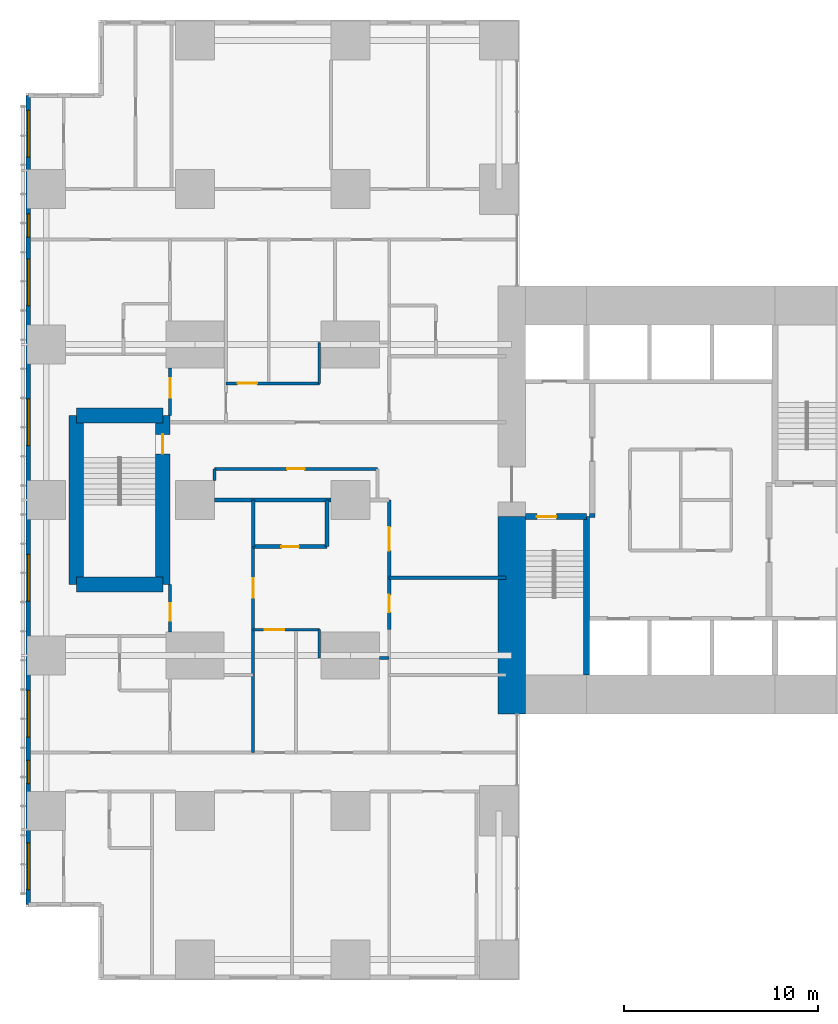
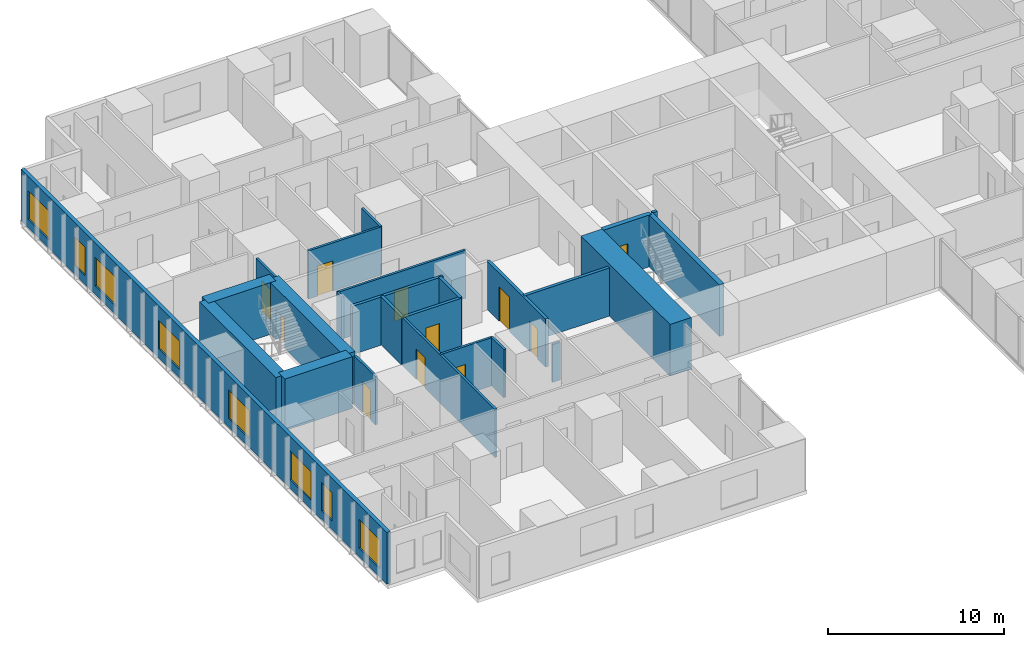
# One storey, part 13 of 20: 25 walls, 11 doors, 8 windows, 19 openings.
"""IFC4 building model written with IfcOpenShell, lengths in metres."""

from ifc_helpers import new_model, si_unit, direction, frame, frame_2d, origin, place, context, subcontext, project, spatial, rectangle, extrude, material, layer, layer_set, type_object, element, fill, save


model = new_model("IFC4")

# Units and contexts
model_context = context("Model", 3, precision=1e-05, world=origin(), true_north=direction((0.0, 1.0)))
body_context = subcontext(model_context, "Body", "Model", "MODEL_VIEW")
ifc_project = project(units=[si_unit("LENGTHUNIT", "METRE"), si_unit("AREAUNIT", "SQUARE_METRE"), si_unit("VOLUMEUNIT", "CUBIC_METRE"), si_unit("PLANEANGLEUNIT", "RADIAN"), si_unit("MASSUNIT", "GRAM", prefix="KILO")], contexts=[model_context])

# Site, building, storey
site_placement = place(None, origin())
site = spatial("IfcSite", under=ifc_project, at=site_placement, CompositionType="ELEMENT")
building_placement = place(site_placement, origin())
building = spatial("IfcBuilding", under=site, at=building_placement, Name="Cleftline Residences", CompositionType="ELEMENT")
storey_placement = place(building_placement, frame((0.0, 0.0, 72.800048828125)))
storey = spatial("IfcBuildingStorey", under=building, at=storey_placement, Name="L18", CompositionType="ELEMENT", Elevation=72.800048828125)

# Walls
ifc_material_1 = material(Name="Concrete B70", Category="concrete")
ifc_layer_1 = layer(ifc_material_1, 1.39990234375)
ifc_layer_set_1 = layer_set([ifc_layer_1], Name="CORE WALL 1400")
wall_type_1 = type_object("IfcWallType", Name="CORE WALL 1400", PredefinedType="SHEAR", material=ifc_layer_set_1)
wall_1_placement = place(storey_placement, frame((24.300048828125, 13.0, 0.0), z_axis=(0.0, 0.0, 1.0), x_axis=(0.0, 1.0, 0.0)))
element("IfcWall", 1, at=wall_1_placement, inside=storey, type_object=wall_type_1, Name="Core wall W0", PredefinedType="SHEAR", context=body_context, shape_type="SweptSolid", body=[
    extrude(rectangle(XDim=10.14990234375, YDim=1.39990234375, at=frame_2d((5.074951171875, 0.0))), origin(), (0.0, 0.0, 1.0), 3.599853515625),
])
ifc_material_2 = material(Name="Concrete B70", Category="concrete")
ifc_layer_2 = layer(ifc_material_2, 0.300048828125)
ifc_layer_set_2 = layer_set([ifc_layer_2], Name="CORE WALL 300")
wall_type_2 = type_object("IfcWallType", Name="CORE WALL 300", PredefinedType="SHEAR", material=ifc_layer_set_2)
wall_2_placement = place(storey_placement, frame((28.14990234375, 15.0, 0.0), z_axis=(0.0, 0.0, 1.0), x_axis=(0.0, 1.0, 0.0)))
element("IfcWall", 2, at=wall_2_placement, inside=storey, type_object=wall_type_2, Name="Core wall SA-E", PredefinedType="SHEAR", context=body_context, shape_type="SweptSolid", body=[
    extrude(rectangle(XDim=8.14990234375, YDim=0.300048828125, at=frame_2d((4.074951171875, 0.0))), origin(), (0.0, 0.0, 1.0), 3.599853515625),
])

# Wall, opening, door
wall_3_placement = place(storey_placement, frame((25.0, 23.14990234375, 0.0), z_axis=(0.0, 0.0, 1.0), x_axis=(1.0, 0.0, 0.0)))
wall_3 = element("IfcWall", 3, at=wall_3_placement, inside=storey, type_object=wall_type_2, Name="Core wall SA-N", PredefinedType="SHEAR", context=body_context, shape_type="SweptSolid", body=[
    extrude(rectangle(XDim=3.14990234375, YDim=0.300048828125, at=frame_2d((1.574951171875, 0.0))), origin(), (0.0, 0.0, 1.0), 3.599853515625),
])
opening_1_placement = place(wall_3_placement, frame((0.60009765625, 0.0, 0.0)))
opening_1 = element("IfcOpeningElement", 4, at=opening_1_placement, cuts=wall_3, Name="Opening D5", PredefinedType="OPENING", context=body_context, shape_type="SweptSolid", body=[
    extrude(rectangle(XDim=1.0, YDim=2.10009765625, at=frame_2d((0.5, 1.050048828125))), frame((0.0, 0.159912109375, 0.0), z_axis=(0.0, -1.0, 0.0), x_axis=(1.0, 0.0, 0.0)), (0.0, 0.0, 1.0), 0.320068359375),
])
ifc_material_3 = material(Name="Steel", Category="steel")
door_type_1 = type_object("IfcDoorType", Name="STAIR DOOR 1000X2100", OperationType="SINGLE_SWING_LEFT", PredefinedType="DOOR", material=ifc_material_3)
door_1_placement = place(opening_1_placement, origin())
door_1 = element("IfcDoor", 5, at=door_1_placement, inside=storey, type_object=door_type_1, Name="Stair A door", OperationType="SINGLE_SWING_RIGHT", OverallHeight=2.10009765625, OverallWidth=1.0, PredefinedType="DOOR", context=body_context, shape_type="SweptSolid", body=[
    extrude(rectangle(XDim=1.0, YDim=2.10009765625, at=frame_2d((0.5, 1.050048828125))), frame((0.0, 0.02490234375, 0.0), z_axis=(0.0, -1.0, 0.0), x_axis=(1.0, 0.0, 0.0)), (0.0, 0.0, 1.0), 0.050048828125),
])
fill(opening_1, door_1)

# Wall, openings, windows
ifc_material_4 = material(Name="Rendered reinforced concrete blockwork", Category="masonry")
ifc_layer_3 = layer(ifc_material_4, 0.25)
ifc_layer_set_3 = layer_set([ifc_layer_3], Name="EXTERNAL WALL 250")
wall_type_3 = type_object("IfcWallType", Name="EXTERNAL WALL 250", PredefinedType="SOLIDWALL", material=ifc_layer_set_3)
wall_4_placement = place(storey_placement, frame((-0.574951171875, 44.824951171875, 0.0), z_axis=(0.0, 0.0, 1.0), x_axis=(0.0, -1.0, 0.0)))
wall_4 = element("IfcWall", 6, at=wall_4_placement, inside=storey, type_object=wall_type_3, Name="External wall", PredefinedType="SOLIDWALL", context=body_context, shape_type="SweptSolid", body=[
    extrude(rectangle(XDim=41.64990234375, YDim=0.25, at=frame_2d((20.824951171875, 0.0))), origin(), (0.0, 0.0, 1.0), 3.599853515625),
])
opening_2_placement = place(wall_4_placement, frame((0.77490234375, 0.0, 0.60009765625)))
opening_2 = element("IfcOpeningElement", 7, at=opening_2_placement, cuts=wall_4, Name="Opening W6", PredefinedType="OPENING", context=body_context, shape_type="SweptSolid", body=[
    extrude(rectangle(XDim=2.39990234375, YDim=2.0, at=frame_2d((1.199951171875, 1.0))), frame((0.0, 0.135009765625, 0.0), z_axis=(0.0, -1.0, 0.0), x_axis=(1.0, 0.0, 0.0)), (0.0, 0.0, 1.0), 0.27001953125),
])
opening_3_placement = place(wall_4_placement, frame((6.10009765625, 0.0, 0.60009765625)))
opening_3 = element("IfcOpeningElement", 8, at=opening_3_placement, cuts=wall_4, Name="Opening W8", PredefinedType="OPENING", context=body_context, shape_type="SweptSolid", body=[
    extrude(rectangle(XDim=1.199951171875, YDim=2.0, at=frame_2d((0.60009765625, 1.0))), frame((0.0, 0.135009765625, 0.0), z_axis=(0.0, -1.0, 0.0), x_axis=(1.0, 0.0, 0.0)), (0.0, 0.0, 1.0), 0.27001953125),
])
opening_4_placement = place(wall_4_placement, frame((8.425048828125, 0.0, 0.60009765625)))
opening_4 = element("IfcOpeningElement", 9, at=opening_4_placement, cuts=wall_4, Name="Opening W6", PredefinedType="OPENING", context=body_context, shape_type="SweptSolid", body=[
    extrude(rectangle(XDim=2.39990234375, YDim=2.0, at=frame_2d((1.199951171875, 1.0))), frame((0.0, 0.135009765625, 0.0), z_axis=(0.0, -1.0, 0.0), x_axis=(1.0, 0.0, 0.0)), (0.0, 0.0, 1.0), 0.27001953125),
])
opening_5_placement = place(wall_4_placement, frame((15.625, 0.0, 0.60009765625)))
opening_5 = element("IfcOpeningElement", 10, at=opening_5_placement, cuts=wall_4, Name="Opening W6", PredefinedType="OPENING", context=body_context, shape_type="SweptSolid", body=[
    extrude(rectangle(XDim=2.39990234375, YDim=2.0, at=frame_2d((1.199951171875, 1.0))), frame((0.0, 0.135009765625, 0.0), z_axis=(0.0, -1.0, 0.0), x_axis=(1.0, 0.0, 0.0)), (0.0, 0.0, 1.0), 0.27001953125),
])
opening_6_placement = place(wall_4_placement, frame((23.625, 0.0, 0.60009765625)))
opening_6 = element("IfcOpeningElement", 11, at=opening_6_placement, cuts=wall_4, Name="Opening W6", PredefinedType="OPENING", context=body_context, shape_type="SweptSolid", body=[
    extrude(rectangle(XDim=2.39990234375, YDim=2.0, at=frame_2d((1.199951171875, 1.0))), frame((0.0, 0.135009765625, 0.0), z_axis=(0.0, -1.0, 0.0), x_axis=(1.0, 0.0, 0.0)), (0.0, 0.0, 1.0), 0.27001953125),
])
opening_7_placement = place(wall_4_placement, frame((30.625, 0.0, 0.60009765625)))
opening_7 = element("IfcOpeningElement", 12, at=opening_7_placement, cuts=wall_4, Name="Opening W6", PredefinedType="OPENING", context=body_context, shape_type="SweptSolid", body=[
    extrude(rectangle(XDim=2.39990234375, YDim=2.0, at=frame_2d((1.199951171875, 1.0))), frame((0.0, 0.135009765625, 0.0), z_axis=(0.0, -1.0, 0.0), x_axis=(1.0, 0.0, 0.0)), (0.0, 0.0, 1.0), 0.27001953125),
])
opening_8_placement = place(wall_4_placement, frame((34.22509765625, 0.0, 0.60009765625)))
opening_8 = element("IfcOpeningElement", 13, at=opening_8_placement, cuts=wall_4, Name="Opening W8", PredefinedType="OPENING", context=body_context, shape_type="SweptSolid", body=[
    extrude(rectangle(XDim=1.199951171875, YDim=2.0, at=frame_2d((0.60009765625, 1.0))), frame((0.0, 0.135009765625, 0.0), z_axis=(0.0, -1.0, 0.0), x_axis=(1.0, 0.0, 0.0)), (0.0, 0.0, 1.0), 0.27001953125),
])
opening_9_placement = place(wall_4_placement, frame((38.47509765625, 0.0, 0.60009765625)))
opening_9 = element("IfcOpeningElement", 14, at=opening_9_placement, cuts=wall_4, Name="Opening W6", PredefinedType="OPENING", context=body_context, shape_type="SweptSolid", body=[
    extrude(rectangle(XDim=2.39990234375, YDim=2.0, at=frame_2d((1.199951171875, 1.0))), frame((0.0, 0.135009765625, 0.0), z_axis=(0.0, -1.0, 0.0), x_axis=(1.0, 0.0, 0.0)), (0.0, 0.0, 1.0), 0.27001953125),
])
ifc_material_5 = material(Name="Aluminium frame, clear double glazing", Category="aluminium")
window_type_1 = type_object("IfcWindowType", Name="WINDOW 1200X2000", PartitioningType="DOUBLE_PANEL_VERTICAL", PredefinedType="WINDOW", material=ifc_material_5)
window_1_placement = place(opening_3_placement, origin())
window_1 = element("IfcWindow", 15, at=window_1_placement, inside=storey, type_object=window_type_1, Name="Window", OverallHeight=2.0, OverallWidth=1.199951171875, PartitioningType="SINGLE_PANEL", PredefinedType="WINDOW", context=body_context, shape_type="SweptSolid", body=[
    extrude(rectangle(XDim=1.199951171875, YDim=2.0, at=frame_2d((0.60009765625, 1.0))), frame((0.0, 0.030029296875, 0.0), z_axis=(0.0, -1.0, 0.0), x_axis=(1.0, 0.0, 0.0)), (0.0, 0.0, 1.0), 0.06005859375),
])
fill(opening_3, window_1)
window_2_placement = place(opening_8_placement, origin())
window_2 = element("IfcWindow", 16, at=window_2_placement, inside=storey, type_object=window_type_1, Name="Window", OverallHeight=2.0, OverallWidth=1.199951171875, PartitioningType="SINGLE_PANEL", PredefinedType="WINDOW", context=body_context, shape_type="SweptSolid", body=[
    extrude(rectangle(XDim=1.199951171875, YDim=2.0, at=frame_2d((0.60009765625, 1.0))), frame((0.0, 0.030029296875, 0.0), z_axis=(0.0, -1.0, 0.0), x_axis=(1.0, 0.0, 0.0)), (0.0, 0.0, 1.0), 0.06005859375),
])
fill(opening_8, window_2)
ifc_material_6 = material(Name="Aluminium frame, clear double glazing", Category="aluminium")
window_type_2 = type_object("IfcWindowType", Name="WINDOW 2400X2000", PartitioningType="DOUBLE_PANEL_VERTICAL", PredefinedType="WINDOW", material=ifc_material_6)
window_3_placement = place(opening_2_placement, origin())
window_3 = element("IfcWindow", 17, at=window_3_placement, inside=storey, type_object=window_type_2, Name="Window", OverallHeight=2.0, OverallWidth=2.39990234375, PartitioningType="SINGLE_PANEL", PredefinedType="WINDOW", context=body_context, shape_type="SweptSolid", body=[
    extrude(rectangle(XDim=2.39990234375, YDim=2.0, at=frame_2d((1.199951171875, 1.0))), frame((0.0, 0.030029296875, 0.0), z_axis=(0.0, -1.0, 0.0), x_axis=(1.0, 0.0, 0.0)), (0.0, 0.0, 1.0), 0.06005859375),
])
fill(opening_2, window_3)
window_4_placement = place(opening_4_placement, origin())
window_4 = element("IfcWindow", 18, at=window_4_placement, inside=storey, type_object=window_type_2, Name="Window", OverallHeight=2.0, OverallWidth=2.39990234375, PartitioningType="SINGLE_PANEL", PredefinedType="WINDOW", context=body_context, shape_type="SweptSolid", body=[
    extrude(rectangle(XDim=2.39990234375, YDim=2.0, at=frame_2d((1.199951171875, 1.0))), frame((0.0, 0.030029296875, 0.0), z_axis=(0.0, -1.0, 0.0), x_axis=(1.0, 0.0, 0.0)), (0.0, 0.0, 1.0), 0.06005859375),
])
fill(opening_4, window_4)
window_5_placement = place(opening_5_placement, origin())
window_5 = element("IfcWindow", 19, at=window_5_placement, inside=storey, type_object=window_type_2, Name="Window", OverallHeight=2.0, OverallWidth=2.39990234375, PartitioningType="SINGLE_PANEL", PredefinedType="WINDOW", context=body_context, shape_type="SweptSolid", body=[
    extrude(rectangle(XDim=2.39990234375, YDim=2.0, at=frame_2d((1.199951171875, 1.0))), frame((0.0, 0.030029296875, 0.0), z_axis=(0.0, -1.0, 0.0), x_axis=(1.0, 0.0, 0.0)), (0.0, 0.0, 1.0), 0.06005859375),
])
fill(opening_5, window_5)
window_6_placement = place(opening_6_placement, origin())
window_6 = element("IfcWindow", 20, at=window_6_placement, inside=storey, type_object=window_type_2, Name="Window", OverallHeight=2.0, OverallWidth=2.39990234375, PartitioningType="SINGLE_PANEL", PredefinedType="WINDOW", context=body_context, shape_type="SweptSolid", body=[
    extrude(rectangle(XDim=2.39990234375, YDim=2.0, at=frame_2d((1.199951171875, 1.0))), frame((0.0, 0.030029296875, 0.0), z_axis=(0.0, -1.0, 0.0), x_axis=(1.0, 0.0, 0.0)), (0.0, 0.0, 1.0), 0.06005859375),
])
fill(opening_6, window_6)
window_7_placement = place(opening_7_placement, origin())
window_7 = element("IfcWindow", 21, at=window_7_placement, inside=storey, type_object=window_type_2, Name="Window", OverallHeight=2.0, OverallWidth=2.39990234375, PartitioningType="SINGLE_PANEL", PredefinedType="WINDOW", context=body_context, shape_type="SweptSolid", body=[
    extrude(rectangle(XDim=2.39990234375, YDim=2.0, at=frame_2d((1.199951171875, 1.0))), frame((0.0, 0.030029296875, 0.0), z_axis=(0.0, -1.0, 0.0), x_axis=(1.0, 0.0, 0.0)), (0.0, 0.0, 1.0), 0.06005859375),
])
fill(opening_7, window_7)
window_8_placement = place(opening_9_placement, origin())
window_8 = element("IfcWindow", 22, at=window_8_placement, inside=storey, type_object=window_type_2, Name="Window", OverallHeight=2.0, OverallWidth=2.39990234375, PartitioningType="SINGLE_PANEL", PredefinedType="WINDOW", context=body_context, shape_type="SweptSolid", body=[
    extrude(rectangle(XDim=2.39990234375, YDim=2.0, at=frame_2d((1.199951171875, 1.0))), frame((0.0, 0.030029296875, 0.0), z_axis=(0.0, -1.0, 0.0), x_axis=(1.0, 0.0, 0.0)), (0.0, 0.0, 1.0), 0.06005859375),
])
fill(opening_9, window_8)

# Wall
ifc_material_7 = material(Name="Concrete blockwork, fire rated", Category="masonry")
ifc_layer_4 = layer(ifc_material_7, 0.199951171875)
ifc_layer_set_4 = layer_set([ifc_layer_4], Name="FIRE WALL 200")
wall_type_4 = type_object("IfcWallType", Name="FIRE WALL 200", PredefinedType="PARTITIONING", material=ifc_layer_set_4)
wall_5_placement = place(storey_placement, frame((18.0, 20.0, 0.0), z_axis=(0.0, 0.0, 1.0), x_axis=(1.0, 0.0, 0.0)))
element("IfcWall", 23, at=wall_5_placement, inside=storey, type_object=wall_type_4, Name="Fire separating wall", PredefinedType="PARTITIONING", context=body_context, shape_type="SweptSolid", body=[
    extrude(rectangle(XDim=6.0, YDim=0.199951171875, at=frame_2d((3.0, 0.0))), origin(), (0.0, 0.0, 1.0), 3.349853515625),
])

# Wall, opening, door
wall_6_placement = place(storey_placement, frame((11.0, 21.60009765625, 0.0), z_axis=(0.0, 0.0, 1.0), x_axis=(1.0, 0.0, 0.0)))
wall_6 = element("IfcWall", 24, at=wall_6_placement, inside=storey, type_object=wall_type_4, Name="Fire separating wall", PredefinedType="PARTITIONING", context=body_context, shape_type="SweptSolid", body=[
    extrude(rectangle(XDim=3.800048828125, YDim=0.199951171875, at=frame_2d((1.89990234375, 0.0))), origin(), (0.0, 0.0, 1.0), 3.349853515625),
])
opening_10_placement = place(wall_6_placement, frame((1.449951171875, 0.0, 0.0)))
opening_10 = element("IfcOpeningElement", 25, at=opening_10_placement, cuts=wall_6, Name="Opening D1F30", PredefinedType="OPENING", context=body_context, shape_type="SweptSolid", body=[
    extrude(rectangle(XDim=0.89990234375, YDim=2.10009765625, at=frame_2d((0.449951171875, 1.050048828125))), frame((0.0, 0.10986328125, 0.0), z_axis=(0.0, -1.0, 0.0), x_axis=(1.0, 0.0, 0.0)), (0.0, 0.0, 1.0), 0.219970703125),
])
ifc_material_8 = material(Name="Timber veneer on solid core", Category="wood")
door_type_2 = type_object("IfcDoorType", Name="DOOR 900X2100 EI 30", OperationType="SINGLE_SWING_LEFT", PredefinedType="DOOR", material=ifc_material_8)
door_2_placement = place(opening_10_placement, origin())
door_2 = element("IfcDoor", 26, at=door_2_placement, inside=storey, type_object=door_type_2, Name="Door to cloakroom wc", OperationType="SINGLE_SWING_LEFT", OverallHeight=2.10009765625, OverallWidth=0.89990234375, PredefinedType="DOOR", context=body_context, shape_type="SweptSolid", body=[
    extrude(rectangle(XDim=0.89990234375, YDim=2.10009765625, at=frame_2d((0.449951171875, 1.050048828125))), frame((0.0, 0.02490234375, 0.0), z_axis=(0.0, -1.0, 0.0), x_axis=(1.0, 0.0, 0.0)), (0.0, 0.0, 1.0), 0.050048828125),
])
fill(opening_10, door_2)

# Walls
wall_7_placement = place(storey_placement, frame((9.0, 24.0, 0.0), z_axis=(0.0, 0.0, 1.0), x_axis=(1.0, 0.0, 0.0)))
element("IfcWall", 27, at=wall_7_placement, inside=storey, type_object=wall_type_4, Name="Fire separating wall", PredefinedType="PARTITIONING", context=body_context, shape_type="SweptSolid", body=[
    extrude(rectangle(XDim=6.0, YDim=0.199951171875, at=frame_2d((3.0, 0.0))), origin(), (0.0, 0.0, 1.0), 3.349853515625),
])
for number, where, z_axis, x_axis, name in (
    (28, (11.0, 21.60009765625, 0.0), (0.0, 0.0, 1.0), (0.0, 1.0, 0.0), "Fire separating wall"),
    (29, (14.800048828125, 21.60009765625, 0.0), (0.0, 0.0, 1.0), (0.0, 1.0, 0.0), "Fire separating wall"),
):
    element("IfcWall", number, at=place(storey_placement, frame(where, z_axis=z_axis, x_axis=x_axis)), inside=storey, type_object=wall_type_4, Name=name, PredefinedType="PARTITIONING", context=body_context, shape_type="SweptSolid", body=[
        extrude(rectangle(XDim=2.39990234375, YDim=0.199951171875, at=frame_2d((1.199951171875, 0.0))), origin(), (0.0, 0.0, 1.0), 3.349853515625),
    ])

# Wall, openings, doors
wall_8_placement = place(storey_placement, frame((18.0, 17.324951171875, 0.0), z_axis=(0.0, 0.0, 1.0), x_axis=(0.0, 1.0, 0.0)))
wall_8 = element("IfcWall", 30, at=wall_8_placement, inside=storey, type_object=wall_type_4, Name="Fire separating wall", PredefinedType="PARTITIONING", context=body_context, shape_type="SweptSolid", body=[
    extrude(rectangle(XDim=6.675048828125, YDim=0.199951171875, at=frame_2d((3.33740234375, 0.0))), origin(), (0.0, 0.0, 1.0), 3.349853515625),
])
opening_11_placement = place(wall_8_placement, frame((4.074951171875, 0.0, 0.0)))
opening_11 = element("IfcOpeningElement", 31, at=opening_11_placement, cuts=wall_8, Name="Opening D4", PredefinedType="OPENING", context=body_context, shape_type="SweptSolid", body=[
    extrude(rectangle(XDim=1.199951171875, YDim=2.39990234375, at=frame_2d((0.60009765625, 1.199951171875))), frame((0.0, 0.10986328125, 0.0), z_axis=(0.0, -1.0, 0.0), x_axis=(1.0, 0.0, 0.0)), (0.0, 0.0, 1.0), 0.219970703125),
])
opening_12_placement = place(wall_8_placement, frame((0.887451171875, 0.0, 0.0)))
opening_12 = element("IfcOpeningElement", 32, at=opening_12_placement, cuts=wall_8, Name="Opening D1F30", PredefinedType="OPENING", context=body_context, shape_type="SweptSolid", body=[
    extrude(rectangle(XDim=0.89990234375, YDim=2.10009765625, at=frame_2d((0.449951171875, 1.050048828125))), frame((0.0, 0.10986328125, 0.0), z_axis=(0.0, -1.0, 0.0), x_axis=(1.0, 0.0, 0.0)), (0.0, 0.0, 1.0), 0.219970703125),
])
ifc_material_9 = material(Name="Timber veneer on solid core", Category="wood")
door_type_3 = type_object("IfcDoorType", Name="APARTMENT ENTRANCE DOOR 1200X2400", OperationType="SINGLE_SWING_RIGHT", PredefinedType="DOOR", material=ifc_material_9)
door_3_placement = place(opening_11_placement, origin())
door_3 = element("IfcDoor", 33, at=door_3_placement, inside=storey, type_object=door_type_3, Name="Door to residence entrance foyer", OperationType="SINGLE_SWING_LEFT", OverallHeight=2.39990234375, OverallWidth=1.199951171875, PredefinedType="DOOR", context=body_context, shape_type="SweptSolid", body=[
    extrude(rectangle(XDim=1.199951171875, YDim=2.39990234375, at=frame_2d((0.60009765625, 1.199951171875))), frame((0.0, 0.02490234375, 0.0), z_axis=(0.0, -1.0, 0.0), x_axis=(1.0, 0.0, 0.0)), (0.0, 0.0, 1.0), 0.050048828125),
])
fill(opening_11, door_3)
door_4_placement = place(opening_12_placement, origin())
door_4 = element("IfcDoor", 34, at=door_4_placement, inside=storey, type_object=door_type_2, Name="Door to utility room", OperationType="SINGLE_SWING_RIGHT", OverallHeight=2.10009765625, OverallWidth=0.89990234375, PredefinedType="DOOR", context=body_context, shape_type="SweptSolid", body=[
    extrude(rectangle(XDim=0.89990234375, YDim=2.10009765625, at=frame_2d((0.449951171875, 1.050048828125))), frame((0.0, 0.02490234375, 0.0), z_axis=(0.0, -1.0, 0.0), x_axis=(1.0, 0.0, 0.0)), (0.0, 0.0, 1.0), 0.050048828125),
])
fill(opening_12, door_4)

# Walls
wall_9_placement = place(storey_placement, frame((28.300048828125, 23.199951171875, 0.0), z_axis=(0.0, 0.0, 1.0), x_axis=(1.0, 0.0, 0.0)))
element("IfcWall", 35, at=wall_9_placement, inside=storey, type_object=wall_type_4, Name="Fire separating wall", PredefinedType="PARTITIONING", context=body_context, shape_type="SweptSolid", body=[
    extrude(rectangle(XDim=0.300048828125, YDim=0.199951171875, at=frame_2d((0.14990234375, 0.0))), origin(), (0.0, 0.0, 1.0), 3.599853515625),
])
ifc_material_10 = material(Name="Gypsum board on steel studs", Category="steel")
ifc_layer_5 = layer(ifc_material_10, 0.14990234375)
ifc_layer_set_5 = layer_set([ifc_layer_5], Name="PARTITION 150")
wall_type_5 = type_object("IfcWallType", Name="PARTITION 150", PredefinedType="PARTITIONING", material=ifc_layer_set_5)
wall_10_placement = place(storey_placement, frame((17.5, 15.875, 0.0), z_axis=(0.0, 0.0, 1.0), x_axis=(1.0, 0.0, 0.0)))
element("IfcWall", 36, at=wall_10_placement, inside=storey, type_object=wall_type_5, Name="Partition", PredefinedType="PARTITIONING", context=body_context, shape_type="SweptSolid", body=[
    extrude(rectangle(XDim=0.5, YDim=0.14990234375, at=frame_2d((0.25, 0.0))), origin(), (0.0, 0.0, 1.0), 2.634033203125),
])

# Wall, opening, door
wall_11_placement = place(storey_placement, frame((11.0, 17.324951171875, 0.0), z_axis=(0.0, 0.0, 1.0), x_axis=(1.0, 0.0, 0.0)))
wall_11 = element("IfcWall", 37, at=wall_11_placement, inside=storey, type_object=wall_type_5, Name="Partition", PredefinedType="PARTITIONING", context=body_context, shape_type="SweptSolid", body=[
    extrude(rectangle(XDim=3.39990234375, YDim=0.14990234375, at=frame_2d((1.699951171875, 0.0))), origin(), (0.0, 0.0, 1.0), 3.349853515625),
])
opening_13_placement = place(wall_11_placement, frame((0.60009765625, 0.0, 0.0)))
opening_13 = element("IfcOpeningElement", 38, at=opening_13_placement, cuts=wall_11, Name="Opening D2", PredefinedType="OPENING", context=body_context, shape_type="SweptSolid", body=[
    extrude(rectangle(XDim=1.0, YDim=2.10009765625, at=frame_2d((0.5, 1.050048828125))), frame((0.0, 0.0849609375, 0.0), z_axis=(0.0, -1.0, 0.0), x_axis=(1.0, 0.0, 0.0)), (0.0, 0.0, 1.0), 0.169921875),
])
ifc_material_11 = material(Name="Timber veneer on solid core", Category="wood")
door_type_4 = type_object("IfcDoorType", Name="DOOR 1000X2100", OperationType="SINGLE_SWING_LEFT", PredefinedType="DOOR", material=ifc_material_11)
door_5_placement = place(opening_13_placement, origin())
door_5 = element("IfcDoor", 39, at=door_5_placement, inside=storey, type_object=door_type_4, Name="Door to residence passage", OperationType="SINGLE_SWING_RIGHT", OverallHeight=2.10009765625, OverallWidth=1.0, PredefinedType="DOOR", context=body_context, shape_type="SweptSolid", body=[
    extrude(rectangle(XDim=1.0, YDim=2.10009765625, at=frame_2d((0.5, 1.050048828125))), frame((0.0, 0.02490234375, 0.0), z_axis=(0.0, -1.0, 0.0), x_axis=(1.0, 0.0, 0.0)), (0.0, 0.0, 1.0), 0.050048828125),
])
fill(opening_13, door_5)

wall_12_placement = place(storey_placement, frame((9.0, 25.60009765625, 0.0), z_axis=(0.0, 0.0, 1.0), x_axis=(1.0, 0.0, 0.0)))
wall_12 = element("IfcWall", 40, at=wall_12_placement, inside=storey, type_object=wall_type_5, Name="Partition", PredefinedType="PARTITIONING", context=body_context, shape_type="SweptSolid", body=[
    extrude(rectangle(XDim=8.39990234375, YDim=0.14990234375, at=frame_2d((4.199951171875, 0.0))), origin(), (0.0, 0.0, 1.0), 3.349853515625),
])
opening_14_placement = place(wall_12_placement, frame((3.75, 0.0, 0.0)))
opening_14 = element("IfcOpeningElement", 41, at=opening_14_placement, cuts=wall_12, Name="Opening D1", PredefinedType="OPENING", context=body_context, shape_type="SweptSolid", body=[
    extrude(rectangle(XDim=0.89990234375, YDim=2.10009765625, at=frame_2d((0.449951171875, 1.050048828125))), frame((0.0, 0.0849609375, 0.0), z_axis=(0.0, -1.0, 0.0), x_axis=(1.0, 0.0, 0.0)), (0.0, 0.0, 1.0), 0.169921875),
])
ifc_material_12 = material(Name="Timber veneer on solid core", Category="wood")
door_type_5 = type_object("IfcDoorType", Name="DOOR 900X2100", OperationType="SINGLE_SWING_LEFT", PredefinedType="DOOR", material=ifc_material_12)
door_6_placement = place(opening_14_placement, origin())
door_6 = element("IfcDoor", 42, at=door_6_placement, inside=storey, type_object=door_type_5, Name="Door to residents' locker room", OperationType="SINGLE_SWING_LEFT", OverallHeight=2.10009765625, OverallWidth=0.89990234375, PredefinedType="DOOR", context=body_context, shape_type="SweptSolid", body=[
    extrude(rectangle(XDim=0.89990234375, YDim=2.10009765625, at=frame_2d((0.449951171875, 1.050048828125))), frame((0.0, 0.02490234375, 0.0), z_axis=(0.0, -1.0, 0.0), x_axis=(1.0, 0.0, 0.0)), (0.0, 0.0, 1.0), 0.050048828125),
])
fill(opening_14, door_6)

wall_13_placement = place(storey_placement, frame((9.60009765625, 30.0, 0.0), z_axis=(0.0, 0.0, 1.0), x_axis=(1.0, 0.0, 0.0)))
wall_13 = element("IfcWall", 43, at=wall_13_placement, inside=storey, type_object=wall_type_5, Name="Partition", PredefinedType="PARTITIONING", context=body_context, shape_type="SweptSolid", body=[
    extrude(rectangle(XDim=4.7998046875, YDim=0.14990234375, at=frame_2d((2.39990234375, 0.0))), origin(), (0.0, 0.0, 1.0), 3.349853515625),
])
opening_15_placement = place(wall_13_placement, frame((0.60009765625, 0.0, 0.0)))
opening_15 = element("IfcOpeningElement", 44, at=opening_15_placement, cuts=wall_13, Name="Opening D2", PredefinedType="OPENING", context=body_context, shape_type="SweptSolid", body=[
    extrude(rectangle(XDim=1.0, YDim=2.10009765625, at=frame_2d((0.5, 1.050048828125))), frame((0.0, 0.0849609375, 0.0), z_axis=(0.0, -1.0, 0.0), x_axis=(1.0, 0.0, 0.0)), (0.0, 0.0, 1.0), 0.169921875),
])
door_7_placement = place(opening_15_placement, origin())
door_7 = element("IfcDoor", 45, at=door_7_placement, inside=storey, type_object=door_type_4, Name="Door to residence passage", OperationType="SINGLE_SWING_RIGHT", OverallHeight=2.10009765625, OverallWidth=1.0, PredefinedType="DOOR", context=body_context, shape_type="SweptSolid", body=[
    extrude(rectangle(XDim=1.0, YDim=2.10009765625, at=frame_2d((0.5, 1.050048828125))), frame((0.0, 0.02490234375, 0.0), z_axis=(0.0, -1.0, 0.0), x_axis=(1.0, 0.0, 0.0)), (0.0, 0.0, 1.0), 0.050048828125),
])
fill(opening_15, door_7)

wall_14_placement = place(storey_placement, frame((6.72509765625, 17.199951171875, 0.0), z_axis=(0.0, 0.0, 1.0), x_axis=(0.0, 1.0, 0.0)))
wall_14 = element("IfcWall", 46, at=wall_14_placement, inside=storey, type_object=wall_type_5, Name="Partition", PredefinedType="PARTITIONING", context=body_context, shape_type="SweptSolid", body=[
    extrude(rectangle(XDim=2.449951171875, YDim=0.14990234375, at=frame_2d((1.22509765625, 0.0))), origin(), (0.0, 0.0, 1.0), 3.349853515625),
])
opening_16_placement = place(wall_14_placement, frame((0.58740234375, 0.0, 0.0)))
opening_16 = element("IfcOpeningElement", 47, at=opening_16_placement, cuts=wall_14, Name="Opening D1", PredefinedType="OPENING", context=body_context, shape_type="SweptSolid", body=[
    extrude(rectangle(XDim=0.89990234375, YDim=2.10009765625, at=frame_2d((0.449951171875, 1.050048828125))), frame((0.0, 0.0849609375, 0.0), z_axis=(0.0, -1.0, 0.0), x_axis=(1.0, 0.0, 0.0)), (0.0, 0.0, 1.0), 0.169921875),
])
door_8_placement = place(opening_16_placement, origin())
door_8 = element("IfcDoor", 48, at=door_8_placement, inside=storey, type_object=door_type_5, Name="Door to service loggia", OperationType="SINGLE_SWING_RIGHT", OverallHeight=2.10009765625, OverallWidth=0.89990234375, PredefinedType="DOOR", context=body_context, shape_type="SweptSolid", body=[
    extrude(rectangle(XDim=0.89990234375, YDim=2.10009765625, at=frame_2d((0.449951171875, 1.050048828125))), frame((0.0, 0.02490234375, 0.0), z_axis=(0.0, -1.0, 0.0), x_axis=(1.0, 0.0, 0.0)), (0.0, 0.0, 1.0), 0.050048828125),
])
fill(opening_16, door_8)

wall_15_placement = place(storey_placement, frame((6.72509765625, 28.35009765625, 0.0), z_axis=(0.0, 0.0, 1.0), x_axis=(0.0, 1.0, 0.0)))
wall_15 = element("IfcWall", 49, at=wall_15_placement, inside=storey, type_object=wall_type_5, Name="Partition", PredefinedType="PARTITIONING", context=body_context, shape_type="SweptSolid", body=[
    extrude(rectangle(XDim=2.449951171875, YDim=0.14990234375, at=frame_2d((1.22509765625, 0.0))), origin(), (0.0, 0.0, 1.0), 3.349853515625),
])
opening_17_placement = place(wall_15_placement, frame((0.91259765625, 0.0, 0.0)))
opening_17 = element("IfcOpeningElement", 50, at=opening_17_placement, cuts=wall_15, Name="Opening D2", PredefinedType="OPENING", context=body_context, shape_type="SweptSolid", body=[
    extrude(rectangle(XDim=1.0, YDim=2.10009765625, at=frame_2d((0.5, 1.050048828125))), frame((0.0, 0.0849609375, 0.0), z_axis=(0.0, -1.0, 0.0), x_axis=(1.0, 0.0, 0.0)), (0.0, 0.0, 1.0), 0.169921875),
])
door_9_placement = place(opening_17_placement, origin())
door_9 = element("IfcDoor", 51, at=door_9_placement, inside=storey, type_object=door_type_4, Name="Door to altar room", OperationType="SINGLE_SWING_LEFT", OverallHeight=2.10009765625, OverallWidth=1.0, PredefinedType="DOOR", context=body_context, shape_type="SweptSolid", body=[
    extrude(rectangle(XDim=1.0, YDim=2.10009765625, at=frame_2d((0.5, 1.050048828125))), frame((0.0, 0.02490234375, 0.0), z_axis=(0.0, -1.0, 0.0), x_axis=(1.0, 0.0, 0.0)), (0.0, 0.0, 1.0), 0.050048828125),
])
fill(opening_17, door_9)

# Wall
wall_16_placement = place(storey_placement, frame((9.0, 25.0, 0.0), z_axis=(0.0, 0.0, 1.0), x_axis=(0.0, 1.0, 0.0)))
element("IfcWall", 52, at=wall_16_placement, inside=storey, type_object=wall_type_5, Name="Partition", PredefinedType="PARTITIONING", context=body_context, shape_type="SweptSolid", body=[
    extrude(rectangle(XDim=0.60009765625, YDim=0.14990234375, at=frame_2d((0.300048828125, 0.0))), origin(), (0.0, 0.0, 1.0), 3.349853515625),
])

# Wall, opening, door
wall_17_placement = place(storey_placement, frame((11.0, 11.0, 0.0), z_axis=(0.0, 0.0, 1.0), x_axis=(0.0, 1.0, 0.0)))
wall_17 = element("IfcWall", 53, at=wall_17_placement, inside=storey, type_object=wall_type_5, Name="Partition", PredefinedType="PARTITIONING", context=body_context, shape_type="SweptSolid", body=[
    extrude(rectangle(XDim=10.60009765625, YDim=0.14990234375, at=frame_2d((5.300048828125, 0.0))), origin(), (0.0, 0.0, 1.0), 3.349853515625),
])
opening_18_placement = place(wall_17_placement, frame((7.96240234375, 0.0, 0.0)))
opening_18 = element("IfcOpeningElement", 54, at=opening_18_placement, cuts=wall_17, Name="Opening D2F30", PredefinedType="OPENING", context=body_context, shape_type="SweptSolid", body=[
    extrude(rectangle(XDim=1.0, YDim=2.10009765625, at=frame_2d((0.5, 1.050048828125))), frame((0.0, 0.0849609375, 0.0), z_axis=(0.0, -1.0, 0.0), x_axis=(1.0, 0.0, 0.0)), (0.0, 0.0, 1.0), 0.169921875),
])
ifc_material_13 = material(Name="Timber veneer on solid core", Category="wood")
door_type_6 = type_object("IfcDoorType", Name="DOOR 1000X2100 EI 30", OperationType="SINGLE_SWING_LEFT", PredefinedType="DOOR", material=ifc_material_13)
door_10_placement = place(opening_18_placement, origin())
door_10 = element("IfcDoor", 55, at=door_10_placement, inside=storey, type_object=door_type_6, Name="Door to residence lobby", OperationType="SINGLE_SWING_LEFT", OverallHeight=2.10009765625, OverallWidth=1.0, PredefinedType="DOOR", context=body_context, shape_type="SweptSolid", body=[
    extrude(rectangle(XDim=1.0, YDim=2.10009765625, at=frame_2d((0.5, 1.050048828125))), frame((0.0, 0.02490234375, 0.0), z_axis=(0.0, -1.0, 0.0), x_axis=(1.0, 0.0, 0.0)), (0.0, 0.0, 1.0), 0.050048828125),
])
fill(opening_18, door_10)

# Walls
wall_18_placement = place(storey_placement, frame((14.39990234375, 15.875, 0.0), z_axis=(0.0, 0.0, 1.0), x_axis=(0.0, 1.0, 0.0)))
element("IfcWall", 56, at=wall_18_placement, inside=storey, type_object=wall_type_5, Name="Partition", PredefinedType="PARTITIONING", context=body_context, shape_type="SweptSolid", body=[
    extrude(rectangle(XDim=1.449951171875, YDim=0.14990234375, at=frame_2d((0.72509765625, 0.0))), origin(), (0.0, 0.0, 1.0), 3.349853515625),
])
wall_19_placement = place(storey_placement, frame((14.39990234375, 30.0, 0.0), z_axis=(0.0, 0.0, 1.0), x_axis=(0.0, 1.0, 0.0)))
element("IfcWall", 57, at=wall_19_placement, inside=storey, type_object=wall_type_5, Name="Partition", PredefinedType="PARTITIONING", context=body_context, shape_type="SweptSolid", body=[
    extrude(rectangle(XDim=2.10009765625, YDim=0.14990234375, at=frame_2d((1.050048828125, 0.0))), origin(), (0.0, 0.0, 1.0), 3.349853515625),
])
ifc_material_14 = material(Name="Concrete B70", Category="concrete")
ifc_layer_6 = layer(ifc_material_14, 0.75)
ifc_layer_set_6 = layer_set([ifc_layer_6], Name="SHEAR WALL 750")
wall_type_6 = type_object("IfcWallType", Name="SHEAR WALL 750", PredefinedType="SHEAR", material=ifc_layer_set_6)
wall_20_placement = place(storey_placement, frame((1.89990234375, 19.64990234375, 0.0), z_axis=(0.0, 0.0, 1.0), x_axis=(1.0, 0.0, 0.0)))
element("IfcWall", 58, at=wall_20_placement, inside=storey, type_object=wall_type_6, Name="Wing shear wall", PredefinedType="SHEAR", context=body_context, shape_type="SweptSolid", body=[
    extrude(rectangle(XDim=4.4501953125, YDim=0.75, at=frame_2d((2.22509765625, 0.0))), origin(), (0.0, 0.0, 1.0), 3.599853515625),
])

# Wall, opening, door
wall_21_placement = place(storey_placement, frame((6.35009765625, 19.64990234375, 0.0), z_axis=(0.0, 0.0, 1.0), x_axis=(0.0, 1.0, 0.0)))
wall_21 = element("IfcWall", 59, at=wall_21_placement, inside=storey, type_object=wall_type_6, Name="Wing shear wall", PredefinedType="SHEAR", context=body_context, shape_type="SweptSolid", body=[
    extrude(rectangle(XDim=8.7001953125, YDim=0.75, at=frame_2d((4.35009765625, 0.0))), origin(), (0.0, 0.0, 1.0), 3.599853515625),
])
opening_19_placement = place(wall_21_placement, frame((6.72509765625, 0.0, 0.0)))
opening_19 = element("IfcOpeningElement", 60, at=opening_19_placement, cuts=wall_21, Name="Opening D5", PredefinedType="OPENING", context=body_context, shape_type="SweptSolid", body=[
    extrude(rectangle(XDim=1.0, YDim=2.10009765625, at=frame_2d((0.5, 1.050048828125))), frame((0.0, 0.385009765625, 0.0), z_axis=(0.0, -1.0, 0.0), x_axis=(1.0, 0.0, 0.0)), (0.0, 0.0, 1.0), 0.77001953125),
])
door_11_placement = place(opening_19_placement, origin())
door_11 = element("IfcDoor", 61, at=door_11_placement, inside=storey, type_object=door_type_1, Name="Stair W door", OperationType="SINGLE_SWING_LEFT", OverallHeight=2.10009765625, OverallWidth=1.0, PredefinedType="DOOR", context=body_context, shape_type="SweptSolid", body=[
    extrude(rectangle(XDim=1.0, YDim=2.10009765625, at=frame_2d((0.5, 1.050048828125))), frame((0.0, 0.02490234375, 0.0), z_axis=(0.0, -1.0, 0.0), x_axis=(1.0, 0.0, 0.0)), (0.0, 0.0, 1.0), 0.050048828125),
])
fill(opening_19, door_11)

# Walls
wall_22_placement = place(storey_placement, frame((6.35009765625, 28.35009765625, 0.0), z_axis=(0.0, 0.0, 1.0), x_axis=(-1.0, 0.0, 0.0)))
element("IfcWall", 62, at=wall_22_placement, inside=storey, type_object=wall_type_6, Name="Wing shear wall", PredefinedType="SHEAR", context=body_context, shape_type="SweptSolid", body=[
    extrude(rectangle(XDim=4.4501953125, YDim=0.75, at=frame_2d((2.22509765625, 0.0))), origin(), (0.0, 0.0, 1.0), 3.599853515625),
])
wall_23_placement = place(storey_placement, frame((1.89990234375, 28.35009765625, 0.0), z_axis=(0.0, 0.0, 1.0), x_axis=(0.0, -1.0, 0.0)))
element("IfcWall", 63, at=wall_23_placement, inside=storey, type_object=wall_type_6, Name="Wing shear wall", PredefinedType="SHEAR", context=body_context, shape_type="SweptSolid", body=[
    extrude(rectangle(XDim=8.7001953125, YDim=0.75, at=frame_2d((4.35009765625, 0.0))), origin(), (0.0, 0.0, 1.0), 3.599853515625),
])

save(model, "model.ifc")
